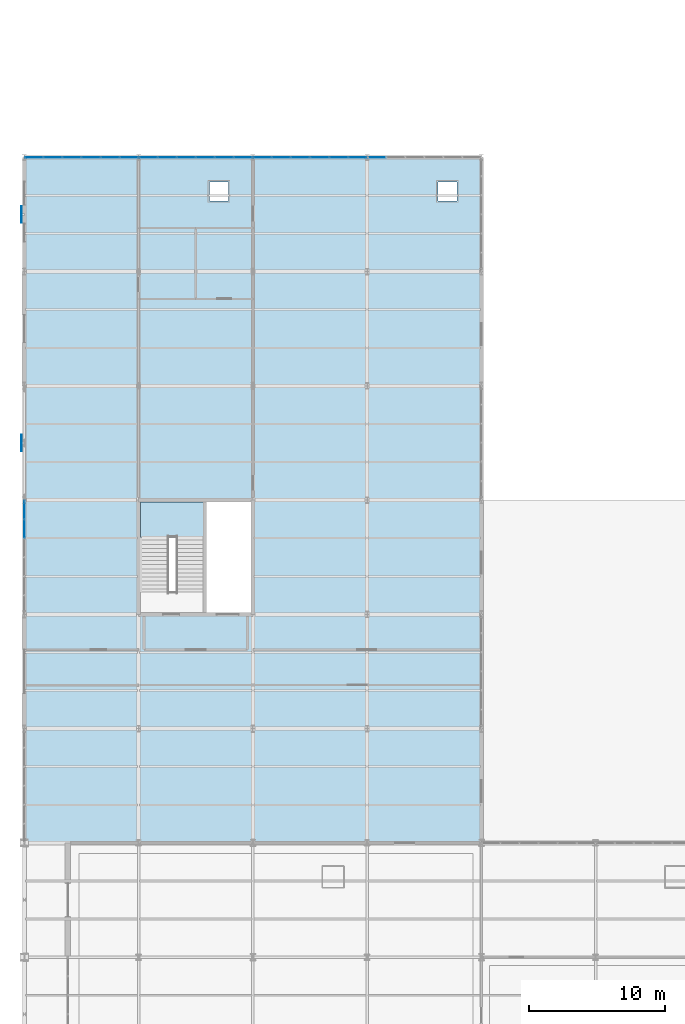
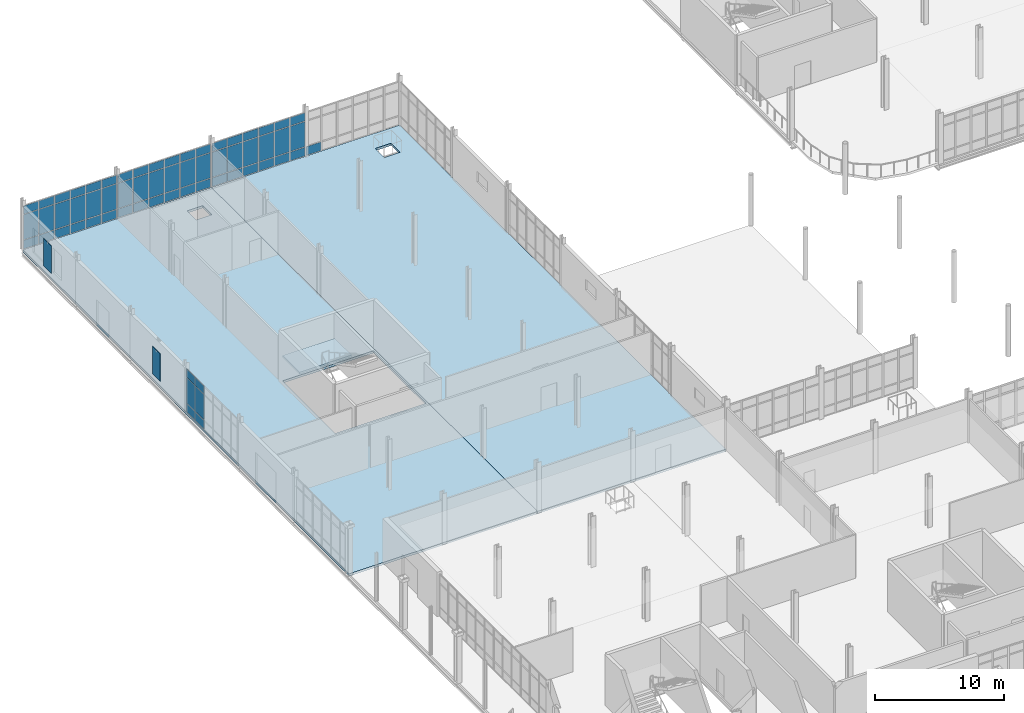
# One storey, part 114 of 145: 63 plates, 3 slabs, 6 elements without a shape of their own.
"""IFC4 building model written with IfcOpenShell, lengths in metres."""

from ifc_helpers import new_model, si_unit, direction, frame, origin, origin_2d, place, context, subcontext, project, spatial, polyline, rectangle, outline, extrude, material, layer, layer_set, type_object, element, aggregate, save


model = new_model("IFC4")

# Units and contexts
model_context = context("Model", 3, precision=1e-05, world=origin(), true_north=direction((0.0, 1.0)))
body_context = subcontext(model_context, "Body", "Model", "MODEL_VIEW")
ifc_project = project(units=[si_unit("LENGTHUNIT", "METRE"), si_unit("AREAUNIT", "SQUARE_METRE"), si_unit("VOLUMEUNIT", "CUBIC_METRE"), si_unit("PLANEANGLEUNIT", "RADIAN"), si_unit("MASSUNIT", "GRAM", prefix="KILO")], contexts=[model_context])

# Site, building, storey
site_placement = place(None, origin())
site = spatial("IfcSite", under=ifc_project, at=site_placement, CompositionType="ELEMENT")
building_placement = place(site_placement, origin())
building = spatial("IfcBuilding", under=site, at=building_placement, Name="Qalvenar Corner Mobility Hub", CompositionType="ELEMENT")
storey_placement = place(building_placement, origin())
storey = spatial("IfcBuildingStorey", under=building, at=storey_placement, Name="L00", CompositionType="ELEMENT", Elevation=0.0)

# Curtain wall, plates
ifc_material_1 = material(Name="Anodised Aluminium and Low-E Glazing", Category="aluminium")
ifc_layer_1 = layer(ifc_material_1, 0.14990234375)
ifc_layer_set_1 = layer_set([ifc_layer_1], Name="Anodised Aluminium and Low-E Glazing")
curtain_wall_type_1 = type_object("IfcCurtainWallType", Name="CW-CYC-84X45", PredefinedType="NOTDEFINED", material=ifc_layer_set_1)
curtain_wall_1_placement = place(storey_placement, origin())
curtain_wall_1 = element("IfcCurtainWall", 1, at=curtain_wall_1_placement, inside=storey, type_object=curtain_wall_type_1, Name="Glazed Curtain Wall CW-V5-L00-W2", PredefinedType="NOTDEFINED")
ifc_material_2 = material(Name="Solar-Control Low-E Double Glazing", Category="glass")
ifc_layer_2 = layer(ifc_material_2, 0.028076171875)
ifc_layer_set_2 = layer_set([ifc_layer_2], Name="Solar-Control Low-E Double Glazing")
plate_type_1 = type_object("IfcPlateType", Name="PLT-CWP-GLZ1", PredefinedType="CURTAIN_PANEL", material=ifc_layer_set_2)
plate_1_placement = place(storey_placement, frame((0.0, 66.485107421875, 0.05517578125), z_axis=(0.0, 0.0, 1.0), x_axis=(0.0, -1.0, 0.0)))
plate_1 = element("IfcPlate", 2, at=plate_1_placement, type_object=plate_type_1, Name="CW-07 panel 1.1", PredefinedType="CURTAIN_PANEL", context=body_context, shape_type="SweptSolid", body=[
    extrude(rectangle(XDim=1.31005859375, YDim=0.028076171875, at=origin_2d()), origin(), (0.0, 0.0, 1.0), 0.8173828125),
])
plate_2_placement = place(storey_placement, frame((0.0, 66.485107421875, 0.927734375), z_axis=(0.0, 0.0, 1.0), x_axis=(0.0, -1.0, 0.0)))
plate_2 = element("IfcPlate", 3, at=plate_2_placement, type_object=plate_type_1, Name="CW-07 panel 1.2", PredefinedType="CURTAIN_PANEL", context=body_context, shape_type="SweptSolid", body=[
    extrude(rectangle(XDim=1.31005859375, YDim=0.028076171875, at=origin_2d()), origin(), (0.0, 0.0, 1.0), 2.364990234375),
])
plate_3_placement = place(storey_placement, frame((0.0, 66.485107421875, 3.347412109375), z_axis=(0.0, 0.0, 1.0), x_axis=(0.0, -1.0, 0.0)))
plate_3 = element("IfcPlate", 4, at=plate_3_placement, type_object=plate_type_1, Name="CW-07 panel 1.3", PredefinedType="CURTAIN_PANEL", context=body_context, shape_type="SweptSolid", body=[
    extrude(rectangle(XDim=1.31005859375, YDim=0.028076171875, at=origin_2d()), origin(), (0.0, 0.0, 1.0), 0.767578125),
])
plate_4_placement = place(storey_placement, frame((0.0, 65.10009765625, 0.05517578125), z_axis=(0.0, 0.0, 1.0), x_axis=(0.0, -1.0, 0.0)))
plate_4 = element("IfcPlate", 5, at=plate_4_placement, type_object=plate_type_1, Name="CW-07 panel 2.1", PredefinedType="CURTAIN_PANEL", context=body_context, shape_type="SweptSolid", body=[
    extrude(rectangle(XDim=1.340087890625, YDim=0.028076171875, at=origin_2d()), origin(), (0.0, 0.0, 1.0), 0.8173828125),
])
plate_5_placement = place(storey_placement, frame((0.0, 65.10009765625, 0.927734375), z_axis=(0.0, 0.0, 1.0), x_axis=(0.0, -1.0, 0.0)))
plate_5 = element("IfcPlate", 6, at=plate_5_placement, type_object=plate_type_1, Name="CW-07 panel 2.2", PredefinedType="CURTAIN_PANEL", context=body_context, shape_type="SweptSolid", body=[
    extrude(rectangle(XDim=1.340087890625, YDim=0.028076171875, at=origin_2d()), origin(), (0.0, 0.0, 1.0), 2.364990234375),
])
plate_6_placement = place(storey_placement, frame((0.0, 65.10009765625, 3.347412109375), z_axis=(0.0, 0.0, 1.0), x_axis=(0.0, -1.0, 0.0)))
plate_6 = element("IfcPlate", 7, at=plate_6_placement, type_object=plate_type_1, Name="CW-07 panel 2.3", PredefinedType="CURTAIN_PANEL", context=body_context, shape_type="SweptSolid", body=[
    extrude(rectangle(XDim=1.340087890625, YDim=0.028076171875, at=origin_2d()), origin(), (0.0, 0.0, 1.0), 0.767578125),
])
aggregate(curtain_wall_1, [plate_1, plate_2, plate_3, plate_4, plate_5, plate_6])

ifc_layer_3 = layer(ifc_material_1, 0.14990234375)
ifc_layer_set_3 = layer_set([ifc_layer_3], Name="Anodised Aluminium and Low-E Glazing")
curtain_wall_type_2 = type_object("IfcCurtainWallType", Name="CW-CYC-84X39", PredefinedType="NOTDEFINED", material=ifc_layer_set_3)
curtain_wall_2_placement = place(storey_placement, origin())
curtain_wall_2 = element("IfcCurtainWall", 8, at=curtain_wall_2_placement, inside=storey, type_object=curtain_wall_type_2, Name="Glazed Curtain Wall CW-V5-L00-N0", PredefinedType="NOTDEFINED")
plate_7_placement = place(storey_placement, frame((7.68505859375, 92.39990234375, 0.05517578125), z_axis=(0.0, 0.0, 1.0), x_axis=(-1.0, 0.0, 0.0)))
plate_7 = element("IfcPlate", 9, at=plate_7_placement, type_object=plate_type_1, Name="CW-08 panel 1.1", PredefinedType="CURTAIN_PANEL", context=body_context, shape_type="SweptSolid", body=[
    extrude(rectangle(XDim=1.31005859375, YDim=0.028076171875, at=origin_2d()), origin(), (0.0, 0.0, 1.0), 0.8173828125),
])
plate_8_placement = place(storey_placement, frame((7.68505859375, 92.39990234375, 0.927734375), z_axis=(0.0, 0.0, 1.0), x_axis=(-1.0, 0.0, 0.0)))
plate_8 = element("IfcPlate", 10, at=plate_8_placement, type_object=plate_type_1, Name="CW-08 panel 1.2", PredefinedType="CURTAIN_PANEL", context=body_context, shape_type="SweptSolid", body=[
    extrude(rectangle(XDim=1.31005859375, YDim=0.028076171875, at=origin_2d()), origin(), (0.0, 0.0, 1.0), 2.364990234375),
])
plate_9_placement = place(storey_placement, frame((7.68505859375, 92.39990234375, 3.347412109375), z_axis=(0.0, 0.0, 1.0), x_axis=(-1.0, 0.0, 0.0)))
plate_9 = element("IfcPlate", 11, at=plate_9_placement, type_object=plate_type_1, Name="CW-08 panel 1.3", PredefinedType="CURTAIN_PANEL", context=body_context, shape_type="SweptSolid", body=[
    extrude(rectangle(XDim=1.31005859375, YDim=0.028076171875, at=origin_2d()), origin(), (0.0, 0.0, 1.0), 0.767578125),
])
plate_10_placement = place(storey_placement, frame((6.300048828125, 92.39990234375, 0.05517578125), z_axis=(0.0, 0.0, 1.0), x_axis=(-1.0, 0.0, 0.0)))
plate_10 = element("IfcPlate", 12, at=plate_10_placement, type_object=plate_type_1, Name="CW-08 panel 2.1", PredefinedType="CURTAIN_PANEL", context=body_context, shape_type="SweptSolid", body=[
    extrude(rectangle(XDim=1.340087890625, YDim=0.028076171875, at=origin_2d()), origin(), (0.0, 0.0, 1.0), 0.8173828125),
])
plate_11_placement = place(storey_placement, frame((6.300048828125, 92.39990234375, 0.927734375), z_axis=(0.0, 0.0, 1.0), x_axis=(-1.0, 0.0, 0.0)))
plate_11 = element("IfcPlate", 13, at=plate_11_placement, type_object=plate_type_1, Name="CW-08 panel 2.2", PredefinedType="CURTAIN_PANEL", context=body_context, shape_type="SweptSolid", body=[
    extrude(rectangle(XDim=1.340087890625, YDim=0.028076171875, at=origin_2d()), origin(), (0.0, 0.0, 1.0), 2.364990234375),
])
plate_12_placement = place(storey_placement, frame((6.300048828125, 92.39990234375, 3.347412109375), z_axis=(0.0, 0.0, 1.0), x_axis=(-1.0, 0.0, 0.0)))
plate_12 = element("IfcPlate", 14, at=plate_12_placement, type_object=plate_type_1, Name="CW-08 panel 2.3", PredefinedType="CURTAIN_PANEL", context=body_context, shape_type="SweptSolid", body=[
    extrude(rectangle(XDim=1.340087890625, YDim=0.028076171875, at=origin_2d()), origin(), (0.0, 0.0, 1.0), 0.767578125),
])
plate_13_placement = place(storey_placement, frame((4.89990234375, 92.39990234375, 0.05517578125), z_axis=(0.0, 0.0, 1.0), x_axis=(-1.0, 0.0, 0.0)))
plate_13 = element("IfcPlate", 15, at=plate_13_placement, type_object=plate_type_1, Name="CW-08 panel 3.1", PredefinedType="CURTAIN_PANEL", context=body_context, shape_type="SweptSolid", body=[
    extrude(rectangle(XDim=1.340087890625, YDim=0.028076171875, at=origin_2d()), origin(), (0.0, 0.0, 1.0), 0.8173828125),
])
plate_14_placement = place(storey_placement, frame((4.89990234375, 92.39990234375, 0.927734375), z_axis=(0.0, 0.0, 1.0), x_axis=(-1.0, 0.0, 0.0)))
plate_14 = element("IfcPlate", 16, at=plate_14_placement, type_object=plate_type_1, Name="CW-08 panel 3.2", PredefinedType="CURTAIN_PANEL", context=body_context, shape_type="SweptSolid", body=[
    extrude(rectangle(XDim=1.340087890625, YDim=0.028076171875, at=origin_2d()), origin(), (0.0, 0.0, 1.0), 2.364990234375),
])
plate_15_placement = place(storey_placement, frame((4.89990234375, 92.39990234375, 3.347412109375), z_axis=(0.0, 0.0, 1.0), x_axis=(-1.0, 0.0, 0.0)))
plate_15 = element("IfcPlate", 17, at=plate_15_placement, type_object=plate_type_1, Name="CW-08 panel 3.3", PredefinedType="CURTAIN_PANEL", context=body_context, shape_type="SweptSolid", body=[
    extrude(rectangle(XDim=1.340087890625, YDim=0.028076171875, at=origin_2d()), origin(), (0.0, 0.0, 1.0), 0.767578125),
])
plate_16_placement = place(storey_placement, frame((3.5, 92.39990234375, 0.05517578125), z_axis=(0.0, 0.0, 1.0), x_axis=(-1.0, 0.0, 0.0)))
plate_16 = element("IfcPlate", 18, at=plate_16_placement, type_object=plate_type_1, Name="CW-08 panel 4.1", PredefinedType="CURTAIN_PANEL", context=body_context, shape_type="SweptSolid", body=[
    extrude(rectangle(XDim=1.340087890625, YDim=0.028076171875, at=origin_2d()), origin(), (0.0, 0.0, 1.0), 0.8173828125),
])
plate_17_placement = place(storey_placement, frame((3.5, 92.39990234375, 0.927734375), z_axis=(0.0, 0.0, 1.0), x_axis=(-1.0, 0.0, 0.0)))
plate_17 = element("IfcPlate", 19, at=plate_17_placement, type_object=plate_type_1, Name="CW-08 panel 4.2", PredefinedType="CURTAIN_PANEL", context=body_context, shape_type="SweptSolid", body=[
    extrude(rectangle(XDim=1.340087890625, YDim=0.028076171875, at=origin_2d()), origin(), (0.0, 0.0, 1.0), 2.364990234375),
])
plate_18_placement = place(storey_placement, frame((3.5, 92.39990234375, 3.347412109375), z_axis=(0.0, 0.0, 1.0), x_axis=(-1.0, 0.0, 0.0)))
plate_18 = element("IfcPlate", 20, at=plate_18_placement, type_object=plate_type_1, Name="CW-08 panel 4.3", PredefinedType="CURTAIN_PANEL", context=body_context, shape_type="SweptSolid", body=[
    extrude(rectangle(XDim=1.340087890625, YDim=0.028076171875, at=origin_2d()), origin(), (0.0, 0.0, 1.0), 0.767578125),
])
plate_19_placement = place(storey_placement, frame((2.10009765625, 92.39990234375, 0.05517578125), z_axis=(0.0, 0.0, 1.0), x_axis=(-1.0, 0.0, 0.0)))
plate_19 = element("IfcPlate", 21, at=plate_19_placement, type_object=plate_type_1, Name="CW-08 panel 5.1", PredefinedType="CURTAIN_PANEL", context=body_context, shape_type="SweptSolid", body=[
    extrude(rectangle(XDim=1.340087890625, YDim=0.028076171875, at=origin_2d()), origin(), (0.0, 0.0, 1.0), 0.8173828125),
])
plate_20_placement = place(storey_placement, frame((2.10009765625, 92.39990234375, 0.927734375), z_axis=(0.0, 0.0, 1.0), x_axis=(-1.0, 0.0, 0.0)))
plate_20 = element("IfcPlate", 22, at=plate_20_placement, type_object=plate_type_1, Name="CW-08 panel 5.2", PredefinedType="CURTAIN_PANEL", context=body_context, shape_type="SweptSolid", body=[
    extrude(rectangle(XDim=1.340087890625, YDim=0.028076171875, at=origin_2d()), origin(), (0.0, 0.0, 1.0), 2.364990234375),
])
plate_21_placement = place(storey_placement, frame((2.10009765625, 92.39990234375, 3.347412109375), z_axis=(0.0, 0.0, 1.0), x_axis=(-1.0, 0.0, 0.0)))
plate_21 = element("IfcPlate", 23, at=plate_21_placement, type_object=plate_type_1, Name="CW-08 panel 5.3", PredefinedType="CURTAIN_PANEL", context=body_context, shape_type="SweptSolid", body=[
    extrude(rectangle(XDim=1.340087890625, YDim=0.028076171875, at=origin_2d()), origin(), (0.0, 0.0, 1.0), 0.767578125),
])
plate_22_placement = place(storey_placement, frame((0.715087890625, 92.39990234375, 0.05517578125), z_axis=(0.0, 0.0, 1.0), x_axis=(-1.0, 0.0, 0.0)))
plate_22 = element("IfcPlate", 24, at=plate_22_placement, type_object=plate_type_1, Name="CW-08 panel 6.1", PredefinedType="CURTAIN_PANEL", context=body_context, shape_type="SweptSolid", body=[
    extrude(rectangle(XDim=1.31005859375, YDim=0.028076171875, at=origin_2d()), origin(), (0.0, 0.0, 1.0), 0.8173828125),
])
plate_23_placement = place(storey_placement, frame((0.715087890625, 92.39990234375, 0.927734375), z_axis=(0.0, 0.0, 1.0), x_axis=(-1.0, 0.0, 0.0)))
plate_23 = element("IfcPlate", 25, at=plate_23_placement, type_object=plate_type_1, Name="CW-08 panel 6.2", PredefinedType="CURTAIN_PANEL", context=body_context, shape_type="SweptSolid", body=[
    extrude(rectangle(XDim=1.31005859375, YDim=0.028076171875, at=origin_2d()), origin(), (0.0, 0.0, 1.0), 2.364990234375),
])
plate_24_placement = place(storey_placement, frame((0.715087890625, 92.39990234375, 3.347412109375), z_axis=(0.0, 0.0, 1.0), x_axis=(-1.0, 0.0, 0.0)))
plate_24 = element("IfcPlate", 26, at=plate_24_placement, type_object=plate_type_1, Name="CW-08 panel 6.3", PredefinedType="CURTAIN_PANEL", context=body_context, shape_type="SweptSolid", body=[
    extrude(rectangle(XDim=1.31005859375, YDim=0.028076171875, at=origin_2d()), origin(), (0.0, 0.0, 1.0), 0.767578125),
])
aggregate(curtain_wall_2, [plate_7, plate_8, plate_9, plate_10, plate_11, plate_12, plate_13, plate_14, plate_15, plate_16, plate_17, plate_18, plate_19, plate_20, plate_21, plate_22, plate_23, plate_24])

curtain_wall_3_placement = place(storey_placement, origin())
curtain_wall_3 = element("IfcCurtainWall", 27, at=curtain_wall_3_placement, inside=storey, type_object=curtain_wall_type_2, Name="Glazed Curtain Wall CW-V5-L00-N1", PredefinedType="NOTDEFINED")
plate_25_placement = place(storey_placement, frame((16.0849609375, 92.39990234375, 0.05517578125), z_axis=(0.0, 0.0, 1.0), x_axis=(-1.0, 0.0, 0.0)))
plate_25 = element("IfcPlate", 28, at=plate_25_placement, type_object=plate_type_1, Name="CW-08 panel 1.1", PredefinedType="CURTAIN_PANEL", context=body_context, shape_type="SweptSolid", body=[
    extrude(rectangle(XDim=1.31005859375, YDim=0.028076171875, at=origin_2d()), origin(), (0.0, 0.0, 1.0), 0.8173828125),
])
plate_26_placement = place(storey_placement, frame((16.0849609375, 92.39990234375, 0.927734375), z_axis=(0.0, 0.0, 1.0), x_axis=(-1.0, 0.0, 0.0)))
plate_26 = element("IfcPlate", 29, at=plate_26_placement, type_object=plate_type_1, Name="CW-08 panel 1.2", PredefinedType="CURTAIN_PANEL", context=body_context, shape_type="SweptSolid", body=[
    extrude(rectangle(XDim=1.31005859375, YDim=0.028076171875, at=origin_2d()), origin(), (0.0, 0.0, 1.0), 2.364990234375),
])
plate_27_placement = place(storey_placement, frame((16.0849609375, 92.39990234375, 3.347412109375), z_axis=(0.0, 0.0, 1.0), x_axis=(-1.0, 0.0, 0.0)))
plate_27 = element("IfcPlate", 30, at=plate_27_placement, type_object=plate_type_1, Name="CW-08 panel 1.3", PredefinedType="CURTAIN_PANEL", context=body_context, shape_type="SweptSolid", body=[
    extrude(rectangle(XDim=1.31005859375, YDim=0.028076171875, at=origin_2d()), origin(), (0.0, 0.0, 1.0), 0.767578125),
])
plate_28_placement = place(storey_placement, frame((14.699951171875, 92.39990234375, 0.05517578125), z_axis=(0.0, 0.0, 1.0), x_axis=(-1.0, 0.0, 0.0)))
plate_28 = element("IfcPlate", 31, at=plate_28_placement, type_object=plate_type_1, Name="CW-08 panel 2.1", PredefinedType="CURTAIN_PANEL", context=body_context, shape_type="SweptSolid", body=[
    extrude(rectangle(XDim=1.340087890625, YDim=0.028076171875, at=origin_2d()), origin(), (0.0, 0.0, 1.0), 0.8173828125),
])
plate_29_placement = place(storey_placement, frame((14.699951171875, 92.39990234375, 0.927734375), z_axis=(0.0, 0.0, 1.0), x_axis=(-1.0, 0.0, 0.0)))
plate_29 = element("IfcPlate", 32, at=plate_29_placement, type_object=plate_type_1, Name="CW-08 panel 2.2", PredefinedType="CURTAIN_PANEL", context=body_context, shape_type="SweptSolid", body=[
    extrude(rectangle(XDim=1.340087890625, YDim=0.028076171875, at=origin_2d()), origin(), (0.0, 0.0, 1.0), 2.364990234375),
])
plate_30_placement = place(storey_placement, frame((14.699951171875, 92.39990234375, 3.347412109375), z_axis=(0.0, 0.0, 1.0), x_axis=(-1.0, 0.0, 0.0)))
plate_30 = element("IfcPlate", 33, at=plate_30_placement, type_object=plate_type_1, Name="CW-08 panel 2.3", PredefinedType="CURTAIN_PANEL", context=body_context, shape_type="SweptSolid", body=[
    extrude(rectangle(XDim=1.340087890625, YDim=0.028076171875, at=origin_2d()), origin(), (0.0, 0.0, 1.0), 0.767578125),
])
plate_31_placement = place(storey_placement, frame((13.300048828125, 92.39990234375, 0.05517578125), z_axis=(0.0, 0.0, 1.0), x_axis=(-1.0, 0.0, 0.0)))
plate_31 = element("IfcPlate", 34, at=plate_31_placement, type_object=plate_type_1, Name="CW-08 panel 3.1", PredefinedType="CURTAIN_PANEL", context=body_context, shape_type="SweptSolid", body=[
    extrude(rectangle(XDim=1.340087890625, YDim=0.028076171875, at=origin_2d()), origin(), (0.0, 0.0, 1.0), 0.8173828125),
])
plate_32_placement = place(storey_placement, frame((13.300048828125, 92.39990234375, 0.927734375), z_axis=(0.0, 0.0, 1.0), x_axis=(-1.0, 0.0, 0.0)))
plate_32 = element("IfcPlate", 35, at=plate_32_placement, type_object=plate_type_1, Name="CW-08 panel 3.2", PredefinedType="CURTAIN_PANEL", context=body_context, shape_type="SweptSolid", body=[
    extrude(rectangle(XDim=1.340087890625, YDim=0.028076171875, at=origin_2d()), origin(), (0.0, 0.0, 1.0), 2.364990234375),
])
plate_33_placement = place(storey_placement, frame((13.300048828125, 92.39990234375, 3.347412109375), z_axis=(0.0, 0.0, 1.0), x_axis=(-1.0, 0.0, 0.0)))
plate_33 = element("IfcPlate", 36, at=plate_33_placement, type_object=plate_type_1, Name="CW-08 panel 3.3", PredefinedType="CURTAIN_PANEL", context=body_context, shape_type="SweptSolid", body=[
    extrude(rectangle(XDim=1.340087890625, YDim=0.028076171875, at=origin_2d()), origin(), (0.0, 0.0, 1.0), 0.767578125),
])
plate_34_placement = place(storey_placement, frame((11.89990234375, 92.39990234375, 0.05517578125), z_axis=(0.0, 0.0, 1.0), x_axis=(-1.0, 0.0, 0.0)))
plate_34 = element("IfcPlate", 37, at=plate_34_placement, type_object=plate_type_1, Name="CW-08 panel 4.1", PredefinedType="CURTAIN_PANEL", context=body_context, shape_type="SweptSolid", body=[
    extrude(rectangle(XDim=1.340087890625, YDim=0.028076171875, at=origin_2d()), origin(), (0.0, 0.0, 1.0), 0.8173828125),
])
plate_35_placement = place(storey_placement, frame((11.89990234375, 92.39990234375, 0.927734375), z_axis=(0.0, 0.0, 1.0), x_axis=(-1.0, 0.0, 0.0)))
plate_35 = element("IfcPlate", 38, at=plate_35_placement, type_object=plate_type_1, Name="CW-08 panel 4.2", PredefinedType="CURTAIN_PANEL", context=body_context, shape_type="SweptSolid", body=[
    extrude(rectangle(XDim=1.340087890625, YDim=0.028076171875, at=origin_2d()), origin(), (0.0, 0.0, 1.0), 2.364990234375),
])
plate_36_placement = place(storey_placement, frame((11.89990234375, 92.39990234375, 3.347412109375), z_axis=(0.0, 0.0, 1.0), x_axis=(-1.0, 0.0, 0.0)))
plate_36 = element("IfcPlate", 39, at=plate_36_placement, type_object=plate_type_1, Name="CW-08 panel 4.3", PredefinedType="CURTAIN_PANEL", context=body_context, shape_type="SweptSolid", body=[
    extrude(rectangle(XDim=1.340087890625, YDim=0.028076171875, at=origin_2d()), origin(), (0.0, 0.0, 1.0), 0.767578125),
])
plate_37_placement = place(storey_placement, frame((10.5, 92.39990234375, 0.05517578125), z_axis=(0.0, 0.0, 1.0), x_axis=(-1.0, 0.0, 0.0)))
plate_37 = element("IfcPlate", 40, at=plate_37_placement, type_object=plate_type_1, Name="CW-08 panel 5.1", PredefinedType="CURTAIN_PANEL", context=body_context, shape_type="SweptSolid", body=[
    extrude(rectangle(XDim=1.340087890625, YDim=0.028076171875, at=origin_2d()), origin(), (0.0, 0.0, 1.0), 0.8173828125),
])
plate_38_placement = place(storey_placement, frame((10.5, 92.39990234375, 0.927734375), z_axis=(0.0, 0.0, 1.0), x_axis=(-1.0, 0.0, 0.0)))
plate_38 = element("IfcPlate", 41, at=plate_38_placement, type_object=plate_type_1, Name="CW-08 panel 5.2", PredefinedType="CURTAIN_PANEL", context=body_context, shape_type="SweptSolid", body=[
    extrude(rectangle(XDim=1.340087890625, YDim=0.028076171875, at=origin_2d()), origin(), (0.0, 0.0, 1.0), 2.364990234375),
])
plate_39_placement = place(storey_placement, frame((10.5, 92.39990234375, 3.347412109375), z_axis=(0.0, 0.0, 1.0), x_axis=(-1.0, 0.0, 0.0)))
plate_39 = element("IfcPlate", 42, at=plate_39_placement, type_object=plate_type_1, Name="CW-08 panel 5.3", PredefinedType="CURTAIN_PANEL", context=body_context, shape_type="SweptSolid", body=[
    extrude(rectangle(XDim=1.340087890625, YDim=0.028076171875, at=origin_2d()), origin(), (0.0, 0.0, 1.0), 0.767578125),
])
plate_40_placement = place(storey_placement, frame((9.114990234375, 92.39990234375, 0.05517578125), z_axis=(0.0, 0.0, 1.0), x_axis=(-1.0, 0.0, 0.0)))
plate_40 = element("IfcPlate", 43, at=plate_40_placement, type_object=plate_type_1, Name="CW-08 panel 6.1", PredefinedType="CURTAIN_PANEL", context=body_context, shape_type="SweptSolid", body=[
    extrude(rectangle(XDim=1.31005859375, YDim=0.028076171875, at=origin_2d()), origin(), (0.0, 0.0, 1.0), 0.8173828125),
])
plate_41_placement = place(storey_placement, frame((9.114990234375, 92.39990234375, 0.927734375), z_axis=(0.0, 0.0, 1.0), x_axis=(-1.0, 0.0, 0.0)))
plate_41 = element("IfcPlate", 44, at=plate_41_placement, type_object=plate_type_1, Name="CW-08 panel 6.2", PredefinedType="CURTAIN_PANEL", context=body_context, shape_type="SweptSolid", body=[
    extrude(rectangle(XDim=1.31005859375, YDim=0.028076171875, at=origin_2d()), origin(), (0.0, 0.0, 1.0), 2.364990234375),
])
plate_42_placement = place(storey_placement, frame((9.114990234375, 92.39990234375, 3.347412109375), z_axis=(0.0, 0.0, 1.0), x_axis=(-1.0, 0.0, 0.0)))
plate_42 = element("IfcPlate", 45, at=plate_42_placement, type_object=plate_type_1, Name="CW-08 panel 6.3", PredefinedType="CURTAIN_PANEL", context=body_context, shape_type="SweptSolid", body=[
    extrude(rectangle(XDim=1.31005859375, YDim=0.028076171875, at=origin_2d()), origin(), (0.0, 0.0, 1.0), 0.767578125),
])
aggregate(curtain_wall_3, [plate_25, plate_26, plate_27, plate_28, plate_29, plate_30, plate_31, plate_32, plate_33, plate_34, plate_35, plate_36, plate_37, plate_38, plate_39, plate_40, plate_41, plate_42])

curtain_wall_4_placement = place(storey_placement, origin())
curtain_wall_4 = element("IfcCurtainWall", 46, at=curtain_wall_4_placement, inside=storey, type_object=curtain_wall_type_2, Name="Glazed Curtain Wall CW-V5-L00-N2", PredefinedType="NOTDEFINED")
plate_43_placement = place(storey_placement, frame((24.485107421875, 92.39990234375, 0.05517578125), z_axis=(0.0, 0.0, 1.0), x_axis=(-1.0, 0.0, 0.0)))
plate_43 = element("IfcPlate", 47, at=plate_43_placement, type_object=plate_type_1, Name="CW-08 panel 1.1", PredefinedType="CURTAIN_PANEL", context=body_context, shape_type="SweptSolid", body=[
    extrude(rectangle(XDim=1.31005859375, YDim=0.028076171875, at=origin_2d()), origin(), (0.0, 0.0, 1.0), 0.8173828125),
])
plate_44_placement = place(storey_placement, frame((24.485107421875, 92.39990234375, 0.927734375), z_axis=(0.0, 0.0, 1.0), x_axis=(-1.0, 0.0, 0.0)))
plate_44 = element("IfcPlate", 48, at=plate_44_placement, type_object=plate_type_1, Name="CW-08 panel 1.2", PredefinedType="CURTAIN_PANEL", context=body_context, shape_type="SweptSolid", body=[
    extrude(rectangle(XDim=1.31005859375, YDim=0.028076171875, at=origin_2d()), origin(), (0.0, 0.0, 1.0), 2.364990234375),
])
plate_45_placement = place(storey_placement, frame((24.485107421875, 92.39990234375, 3.347412109375), z_axis=(0.0, 0.0, 1.0), x_axis=(-1.0, 0.0, 0.0)))
plate_45 = element("IfcPlate", 49, at=plate_45_placement, type_object=plate_type_1, Name="CW-08 panel 1.3", PredefinedType="CURTAIN_PANEL", context=body_context, shape_type="SweptSolid", body=[
    extrude(rectangle(XDim=1.31005859375, YDim=0.028076171875, at=origin_2d()), origin(), (0.0, 0.0, 1.0), 0.767578125),
])
plate_46_placement = place(storey_placement, frame((23.10009765625, 92.39990234375, 0.05517578125), z_axis=(0.0, 0.0, 1.0), x_axis=(-1.0, 0.0, 0.0)))
plate_46 = element("IfcPlate", 50, at=plate_46_placement, type_object=plate_type_1, Name="CW-08 panel 2.1", PredefinedType="CURTAIN_PANEL", context=body_context, shape_type="SweptSolid", body=[
    extrude(rectangle(XDim=1.340087890625, YDim=0.028076171875, at=origin_2d()), origin(), (0.0, 0.0, 1.0), 0.8173828125),
])
plate_47_placement = place(storey_placement, frame((23.10009765625, 92.39990234375, 0.927734375), z_axis=(0.0, 0.0, 1.0), x_axis=(-1.0, 0.0, 0.0)))
plate_47 = element("IfcPlate", 51, at=plate_47_placement, type_object=plate_type_1, Name="CW-08 panel 2.2", PredefinedType="CURTAIN_PANEL", context=body_context, shape_type="SweptSolid", body=[
    extrude(rectangle(XDim=1.340087890625, YDim=0.028076171875, at=origin_2d()), origin(), (0.0, 0.0, 1.0), 2.364990234375),
])
plate_48_placement = place(storey_placement, frame((23.10009765625, 92.39990234375, 3.347412109375), z_axis=(0.0, 0.0, 1.0), x_axis=(-1.0, 0.0, 0.0)))
plate_48 = element("IfcPlate", 52, at=plate_48_placement, type_object=plate_type_1, Name="CW-08 panel 2.3", PredefinedType="CURTAIN_PANEL", context=body_context, shape_type="SweptSolid", body=[
    extrude(rectangle(XDim=1.340087890625, YDim=0.028076171875, at=origin_2d()), origin(), (0.0, 0.0, 1.0), 0.767578125),
])
plate_49_placement = place(storey_placement, frame((21.699951171875, 92.39990234375, 0.05517578125), z_axis=(0.0, 0.0, 1.0), x_axis=(-1.0, 0.0, 0.0)))
plate_49 = element("IfcPlate", 53, at=plate_49_placement, type_object=plate_type_1, Name="CW-08 panel 3.1", PredefinedType="CURTAIN_PANEL", context=body_context, shape_type="SweptSolid", body=[
    extrude(rectangle(XDim=1.340087890625, YDim=0.028076171875, at=origin_2d()), origin(), (0.0, 0.0, 1.0), 0.8173828125),
])
plate_50_placement = place(storey_placement, frame((21.699951171875, 92.39990234375, 0.927734375), z_axis=(0.0, 0.0, 1.0), x_axis=(-1.0, 0.0, 0.0)))
plate_50 = element("IfcPlate", 54, at=plate_50_placement, type_object=plate_type_1, Name="CW-08 panel 3.2", PredefinedType="CURTAIN_PANEL", context=body_context, shape_type="SweptSolid", body=[
    extrude(rectangle(XDim=1.340087890625, YDim=0.028076171875, at=origin_2d()), origin(), (0.0, 0.0, 1.0), 2.364990234375),
])
plate_51_placement = place(storey_placement, frame((21.699951171875, 92.39990234375, 3.347412109375), z_axis=(0.0, 0.0, 1.0), x_axis=(-1.0, 0.0, 0.0)))
plate_51 = element("IfcPlate", 55, at=plate_51_placement, type_object=plate_type_1, Name="CW-08 panel 3.3", PredefinedType="CURTAIN_PANEL", context=body_context, shape_type="SweptSolid", body=[
    extrude(rectangle(XDim=1.340087890625, YDim=0.028076171875, at=origin_2d()), origin(), (0.0, 0.0, 1.0), 0.767578125),
])
plate_52_placement = place(storey_placement, frame((20.300048828125, 92.39990234375, 0.05517578125), z_axis=(0.0, 0.0, 1.0), x_axis=(-1.0, 0.0, 0.0)))
plate_52 = element("IfcPlate", 56, at=plate_52_placement, type_object=plate_type_1, Name="CW-08 panel 4.1", PredefinedType="CURTAIN_PANEL", context=body_context, shape_type="SweptSolid", body=[
    extrude(rectangle(XDim=1.340087890625, YDim=0.028076171875, at=origin_2d()), origin(), (0.0, 0.0, 1.0), 0.8173828125),
])
plate_53_placement = place(storey_placement, frame((20.300048828125, 92.39990234375, 0.927734375), z_axis=(0.0, 0.0, 1.0), x_axis=(-1.0, 0.0, 0.0)))
plate_53 = element("IfcPlate", 57, at=plate_53_placement, type_object=plate_type_1, Name="CW-08 panel 4.2", PredefinedType="CURTAIN_PANEL", context=body_context, shape_type="SweptSolid", body=[
    extrude(rectangle(XDim=1.340087890625, YDim=0.028076171875, at=origin_2d()), origin(), (0.0, 0.0, 1.0), 2.364990234375),
])
plate_54_placement = place(storey_placement, frame((20.300048828125, 92.39990234375, 3.347412109375), z_axis=(0.0, 0.0, 1.0), x_axis=(-1.0, 0.0, 0.0)))
plate_54 = element("IfcPlate", 58, at=plate_54_placement, type_object=plate_type_1, Name="CW-08 panel 4.3", PredefinedType="CURTAIN_PANEL", context=body_context, shape_type="SweptSolid", body=[
    extrude(rectangle(XDim=1.340087890625, YDim=0.028076171875, at=origin_2d()), origin(), (0.0, 0.0, 1.0), 0.767578125),
])
plate_55_placement = place(storey_placement, frame((18.89990234375, 92.39990234375, 0.05517578125), z_axis=(0.0, 0.0, 1.0), x_axis=(-1.0, 0.0, 0.0)))
plate_55 = element("IfcPlate", 59, at=plate_55_placement, type_object=plate_type_1, Name="CW-08 panel 5.1", PredefinedType="CURTAIN_PANEL", context=body_context, shape_type="SweptSolid", body=[
    extrude(rectangle(XDim=1.340087890625, YDim=0.028076171875, at=origin_2d()), origin(), (0.0, 0.0, 1.0), 0.8173828125),
])
plate_56_placement = place(storey_placement, frame((18.89990234375, 92.39990234375, 0.927734375), z_axis=(0.0, 0.0, 1.0), x_axis=(-1.0, 0.0, 0.0)))
plate_56 = element("IfcPlate", 60, at=plate_56_placement, type_object=plate_type_1, Name="CW-08 panel 5.2", PredefinedType="CURTAIN_PANEL", context=body_context, shape_type="SweptSolid", body=[
    extrude(rectangle(XDim=1.340087890625, YDim=0.028076171875, at=origin_2d()), origin(), (0.0, 0.0, 1.0), 2.364990234375),
])
plate_57_placement = place(storey_placement, frame((18.89990234375, 92.39990234375, 3.347412109375), z_axis=(0.0, 0.0, 1.0), x_axis=(-1.0, 0.0, 0.0)))
plate_57 = element("IfcPlate", 61, at=plate_57_placement, type_object=plate_type_1, Name="CW-08 panel 5.3", PredefinedType="CURTAIN_PANEL", context=body_context, shape_type="SweptSolid", body=[
    extrude(rectangle(XDim=1.340087890625, YDim=0.028076171875, at=origin_2d()), origin(), (0.0, 0.0, 1.0), 0.767578125),
])
plate_58_placement = place(storey_placement, frame((17.514892578125, 92.39990234375, 0.05517578125), z_axis=(0.0, 0.0, 1.0), x_axis=(-1.0, 0.0, 0.0)))
plate_58 = element("IfcPlate", 62, at=plate_58_placement, type_object=plate_type_1, Name="CW-08 panel 6.1", PredefinedType="CURTAIN_PANEL", context=body_context, shape_type="SweptSolid", body=[
    extrude(rectangle(XDim=1.31005859375, YDim=0.028076171875, at=origin_2d()), origin(), (0.0, 0.0, 1.0), 0.8173828125),
])
plate_59_placement = place(storey_placement, frame((17.514892578125, 92.39990234375, 0.927734375), z_axis=(0.0, 0.0, 1.0), x_axis=(-1.0, 0.0, 0.0)))
plate_59 = element("IfcPlate", 63, at=plate_59_placement, type_object=plate_type_1, Name="CW-08 panel 6.2", PredefinedType="CURTAIN_PANEL", context=body_context, shape_type="SweptSolid", body=[
    extrude(rectangle(XDim=1.31005859375, YDim=0.028076171875, at=origin_2d()), origin(), (0.0, 0.0, 1.0), 2.364990234375),
])
plate_60_placement = place(storey_placement, frame((17.514892578125, 92.39990234375, 3.347412109375), z_axis=(0.0, 0.0, 1.0), x_axis=(-1.0, 0.0, 0.0)))
plate_60 = element("IfcPlate", 64, at=plate_60_placement, type_object=plate_type_1, Name="CW-08 panel 6.3", PredefinedType="CURTAIN_PANEL", context=body_context, shape_type="SweptSolid", body=[
    extrude(rectangle(XDim=1.31005859375, YDim=0.028076171875, at=origin_2d()), origin(), (0.0, 0.0, 1.0), 0.767578125),
])
aggregate(curtain_wall_4, [plate_43, plate_44, plate_45, plate_46, plate_47, plate_48, plate_49, plate_50, plate_51, plate_52, plate_53, plate_54, plate_55, plate_56, plate_57, plate_58, plate_59, plate_60])

# Curtain wall, plate
curtain_wall_5_placement = place(storey_placement, origin())
curtain_wall_5 = element("IfcCurtainWall", 65, at=curtain_wall_5_placement, inside=storey, type_object=curtain_wall_type_2, Name="Glazed Curtain Wall CW-V5-L00-N3", PredefinedType="NOTDEFINED")
plate_61_placement = place(storey_placement, frame((25.9150390625, 92.39990234375, 0.05517578125), z_axis=(0.0, 0.0, 1.0), x_axis=(-1.0, 0.0, 0.0)))
plate_61 = element("IfcPlate", 66, at=plate_61_placement, type_object=plate_type_1, Name="CW-08 panel 6.1", PredefinedType="CURTAIN_PANEL", context=body_context, shape_type="SweptSolid", body=[
    extrude(rectangle(XDim=1.31005859375, YDim=0.028076171875, at=origin_2d()), origin(), (0.0, 0.0, 1.0), 0.8173828125),
])
aggregate(curtain_wall_5, [plate_61])

# Plates
ifc_material_3 = material(Name="Perforated Turquoise-Patina Aluminium", Category="aluminium")
ifc_layer_4 = layer(ifc_material_3, 0.028076171875)
ifc_layer_set_4 = layer_set([ifc_layer_4], Name="Perforated Turquoise-Patina Aluminium")
plate_type_2 = type_object("IfcPlateType", Name="PLT-SCR-CYC", PredefinedType="SHEET", material=ifc_layer_set_4)
for number, where, z_axis, x_axis, name in (
    (67, (-0.219970703125, 71.39990234375, 0.75), (0.0, 0.0, 1.0), (0.0, 1.0, 0.0), "Cycle Hall Sun Screen SC2-L00-3"),
    (68, (-0.219970703125, 88.199951171875, 0.75), (0.0, 0.0, 1.0), (0.0, 1.0, 0.0), "Cycle Hall Sun Screen SC2-L00-5"),
):
    element("IfcPlate", number, at=place(storey_placement, frame(where, z_axis=z_axis, x_axis=x_axis)), inside=storey, type_object=plate_type_2, Name=name, PredefinedType="SHEET", context=body_context, shape_type="SweptSolid", body=[
        extrude(rectangle(XDim=1.199951171875, YDim=0.028076171875, at=origin_2d()), origin(), (0.0, 0.0, 1.0), 2.60009765625),
    ])

# Slabs
ifc_material_4 = material(Name="Concrete C35/45", Category="concrete")
ifc_layer_5 = layer(ifc_material_4, 0.219970703125)
ifc_layer_set_5 = layer_set([ifc_layer_5], Name="Concrete C35/45")
slab_type_1 = type_object("IfcSlabType", Name="SLB-COMP220", PredefinedType="FLOOR", material=ifc_layer_set_5)
slab_1_placement = place(storey_placement, frame((0.0, 0.0, -0.219970703125)))
element("IfcSlab", 69, at=slab_1_placement, inside=storey, type_object=slab_type_1, Name="Composite Slab V5-A-L00", PredefinedType="FLOOR", context=body_context, shape_type="SweptSolid", body=[
    extrude(outline(polyline([(0.0, 42.0), (16.800048828125, 42.0), (16.800048828125, 92.39990234375), (0.0, 92.39990234375), (0.0, 42.0)]), holes=[polyline([(8.530029296875, 58.929931640625), (16.669921875, 58.929931640625), (16.669921875, 67.070068359375), (8.530029296875, 67.070068359375), (8.530029296875, 58.929931640625)]), polyline([(13.60009765625, 89.199951171875), (15.0, 89.199951171875), (15.0, 90.60009765625), (13.60009765625, 90.60009765625), (13.60009765625, 89.199951171875)])]), origin(), (0.0, 0.0, 1.0), 0.219970703125),
])
slab_2_placement = place(storey_placement, frame((0.0, 0.0, -0.219970703125)))
element("IfcSlab", 70, at=slab_2_placement, inside=storey, type_object=slab_type_1, Name="Composite Slab V5-B-L00", PredefinedType="FLOOR", context=body_context, shape_type="SweptSolid", body=[
    extrude(outline(polyline([(16.800048828125, 42.0), (33.60009765625, 42.0), (33.60009765625, 92.39990234375), (16.800048828125, 92.39990234375), (16.800048828125, 42.0)]), holes=[polyline([(30.39990234375, 89.199951171875), (31.800048828125, 89.199951171875), (31.800048828125, 90.60009765625), (30.39990234375, 90.60009765625), (30.39990234375, 89.199951171875)])]), origin(), (0.0, 0.0, 1.0), 0.219970703125),
])

# Stair, slab
stair_type = type_object("IfcStairType", Name="STR-200-H48", PredefinedType="TWO_QUARTER_TURN_STAIR", material=ifc_material_4)
stair_placement = place(storey_placement, origin())
stair = element("IfcStair", 71, at=stair_placement, inside=storey, type_object=stair_type, Name="Exit Stair ST5 L00-L01", PredefinedType="TWO_QUARTER_TURN_STAIR")
ifc_layer_6 = layer(ifc_material_4, 0.179931640625)
ifc_layer_set_6 = layer_set([ifc_layer_6], Name="Concrete C35/45")
slab_type_2 = type_object("IfcSlabType", Name="SLB-LND180", PredefinedType="LANDING", material=ifc_layer_set_6)
slab_3_placement = place(storey_placement, frame((0.0, 0.0, 2.219970703125)))
slab_3 = element("IfcSlab", 72, at=slab_3_placement, type_object=slab_type_2, Name="ST5 landing 1", PredefinedType="LANDING", context=body_context, shape_type="SweptSolid", body=[
    extrude(outline(polyline([(8.5400390625, 64.449951171875), (13.179931640625, 64.449951171875), (13.179931640625, 67.06005859375), (8.5400390625, 67.06005859375), (8.5400390625, 64.449951171875)])), origin(), (0.0, 0.0, 1.0), 0.179931640625),
])
aggregate(stair, [slab_3])

save(model, "model.ifc")
